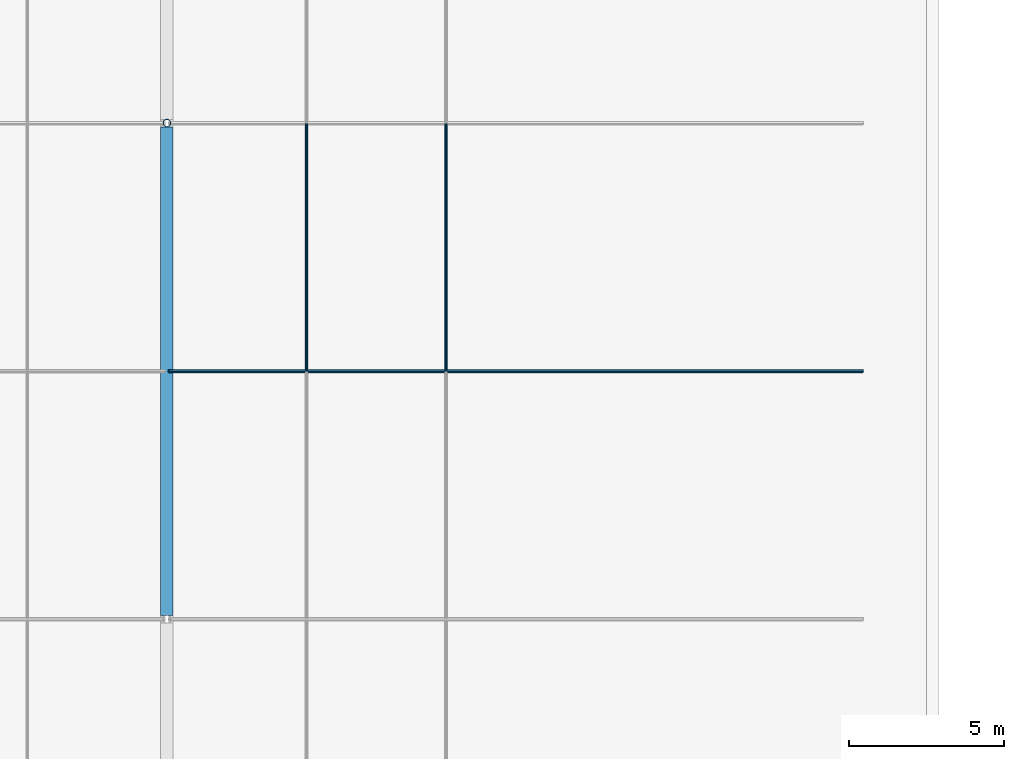
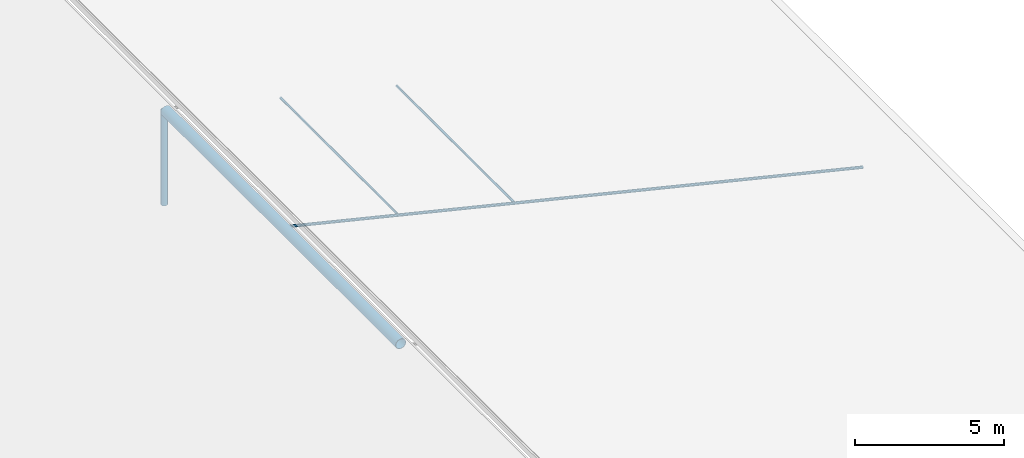
# One storey, part 10 of 71: 5 members.
"""IFC4 building model written with IfcOpenShell, lengths in metres."""

from ifc_helpers import new_model, si_unit, derived_unit, direction, frame, origin, origin_2d, place, context, subcontext, project, spatial, hollow_circle, extrude, material, material_profile, profile_set, type_object, element, save


model = new_model("IFC4")

# Units and contexts
model_context = context("Model", 3, precision=1e-05, world=origin(), true_north=direction((0.0, 1.0)))
body_context = subcontext(model_context, "Body", "Model", "MODEL_VIEW")
ifc_project = project(units=[si_unit("LENGTHUNIT", "METRE"), si_unit("AREAUNIT", "SQUARE_METRE"), si_unit("VOLUMEUNIT", "CUBIC_METRE"), si_unit("PLANEANGLEUNIT", "RADIAN"), si_unit("MASSUNIT", "GRAM", prefix="KILO"), derived_unit("THERMALTRANSMITTANCEUNIT", [(si_unit("MASSUNIT", "GRAM", prefix="KILO"), 1), (si_unit("TIMEUNIT", "SECOND"), -3), (si_unit("THERMODYNAMICTEMPERATUREUNIT", "KELVIN"), -1)])], contexts=[model_context])

# Site, building, storey
site_placement = place(None, origin())
site = spatial("IfcSite", under=ifc_project, at=site_placement, CompositionType="ELEMENT")
building_placement = place(site_placement, origin())
building = spatial("IfcBuilding", under=site, at=building_placement, Name="Zhenchuan Archway Interchange", CompositionType="ELEMENT")
storey_placement = place(building_placement, frame((0.0, 0.0, 18.60009765625)))
storey = spatial("IfcBuildingStorey", under=building, at=storey_placement, Name="L04", CompositionType="ELEMENT", Elevation=18.60009765625)

# Members
ifc_material_1 = material(Name="Steel Q390", Category="steel")
ifc_material_profile_1 = material_profile(ifc_material_1, hollow_circle(Radius=0.056884765625, WallThickness=0.006103515625, at=origin_2d()), Name="CHS 114x6")
ifc_profile_set_1 = profile_set([ifc_material_profile_1], Name="Steel Q390")
member_type_1 = type_object("IfcMemberType", Name="MB_CBL_CHS114", PredefinedType="USERDEFINED", material=ifc_profile_set_1)
member_1_placement = place(storey_placement, frame((49.550048828125, 56.0, 2.75), z_axis=(0.972148755208, 0.0, -0.234364668299), x_axis=(0.0, 1.0, 0.0)))
element("IfcMember", 1, at=member_1_placement, inside=storey, type_object=member_type_1, Name="CONCOURSE ROOF CABLE east radial strand 4", ObjectType="CABLE", PredefinedType="USERDEFINED", context=body_context, shape_type="SweptSolid", body=[
    extrude(hollow_circle(Radius=0.056884765625, WallThickness=0.006103515625, at=origin_2d()), origin(), (0.0, 0.0, 1.0), 23.041748046875),
])
ifc_material_profile_2 = material_profile(ifc_material_1, hollow_circle(Radius=0.04443359375, WallThickness=0.006103515625, at=origin_2d()), Name="CHS 89x6")
ifc_profile_set_2 = profile_set([ifc_material_profile_2], Name="Steel Q390")
member_type_2 = type_object("IfcMemberType", Name="MB_CBL_CHS89", PredefinedType="USERDEFINED", material=ifc_profile_set_2)
for number, where, z_axis, x_axis, name in (
    (2, (54.0, 56.02001953125, 1.639892578125), (0.0, 1.0, 0.0), (-1.0, 0.0, 0.0), "CONCOURSE ROOF CABLE longitudinal net strand 4-4"),
    (3, (58.5, 56.02001953125, 0.559814453125), (0.0, 1.0, 0.0), (-1.0, 0.0, 0.0), "CONCOURSE ROOF CABLE longitudinal net strand 4-5"),
):
    element("IfcMember", number, at=place(storey_placement, frame(where, z_axis=z_axis, x_axis=x_axis)), inside=storey, type_object=member_type_2, Name=name, ObjectType="CABLE", PredefinedType="USERDEFINED", context=body_context, shape_type="SweptSolid", body=[
        extrude(hollow_circle(Radius=0.04443359375, WallThickness=0.006103515625, at=origin_2d()), origin(), (0.0, 0.0, 1.0), 7.9599609375),
    ])
ifc_material_2 = material(Name="Steel Q355", Category="steel")
ifc_material_profile_3 = material_profile(ifc_material_2, hollow_circle(Radius=0.12255859375, WallThickness=0.010009765625, at=origin_2d()), Name="CHS 245x10")
ifc_profile_set_3 = profile_set([ifc_material_profile_3], Name="Steel Q355")
member_type_3 = type_object("IfcMemberType", Name="MB_CHS245", PredefinedType="BRACE", material=ifc_profile_set_3)
member_2_placement = place(storey_placement, frame((49.5, 64.0, -1.150146484375), z_axis=(0.0, 0.0, 1.0), x_axis=(1.0, 0.0, 0.0)))
element("IfcMember", 4, at=member_2_placement, inside=storey, type_object=member_type_3, Name="ROOF TRUSS concourse arch A4 crown king-post", PredefinedType="BRACE", context=body_context, shape_type="SweptSolid", body=[
    extrude(hollow_circle(Radius=0.12255859375, WallThickness=0.010009765625, at=origin_2d()), origin(), (0.0, 0.0, 1.0), 3.8701171875),
])
ifc_material_profile_4 = material_profile(ifc_material_1, hollow_circle(Radius=0.202880859375, WallThickness=0.013916015625, at=origin_2d()), Name="CHS 406x14")
ifc_profile_set_4 = profile_set([ifc_material_profile_4], Name="Steel Q390")
member_type_4 = type_object("IfcMemberType", Name="MB_CHS406", PredefinedType="CHORD", material=ifc_profile_set_4)
member_3_placement = place(storey_placement, frame((49.5, 48.1201171875, 2.75), z_axis=(0.0, 1.0, 0.0), x_axis=(-1.0, 0.0, 0.0)))
element("IfcMember", 5, at=member_3_placement, inside=storey, type_object=member_type_4, Name="CONCOURSE ROOF CABLE crown ridge chord 3", PredefinedType="CHORD", context=body_context, shape_type="SweptSolid", body=[
    extrude(hollow_circle(Radius=0.202880859375, WallThickness=0.013916015625, at=origin_2d()), origin(), (0.0, 0.0, 1.0), 15.759765625),
])

save(model, "model.ifc")
